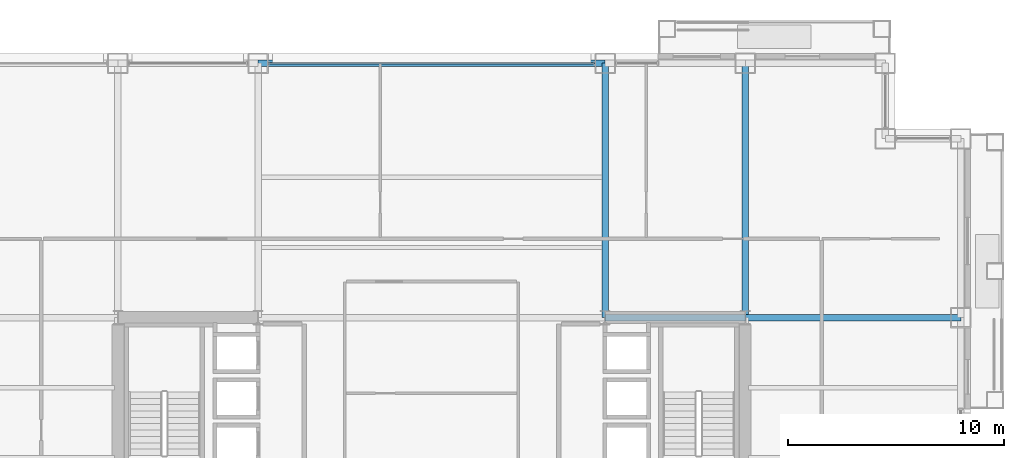
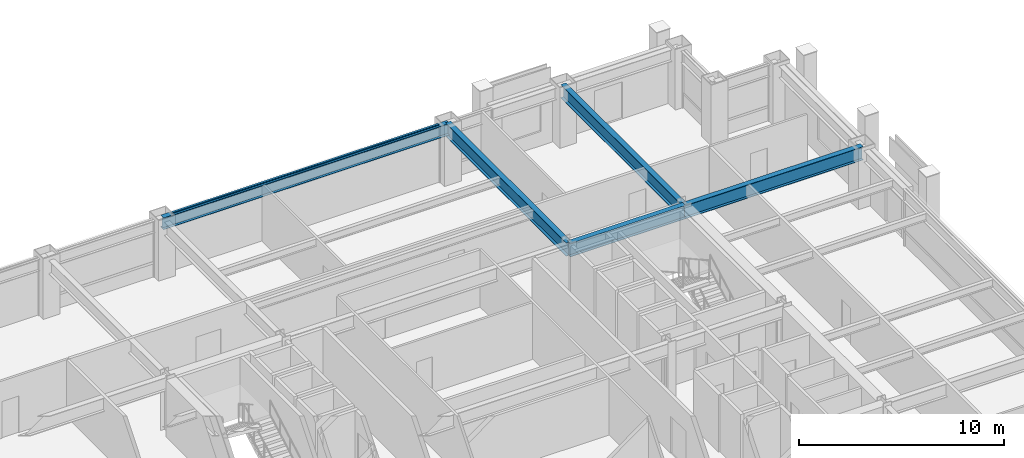
# One storey, part 20 of 31: 5 beams, 1 member, 1 element without a shape of its own.
"""IFC4 building model written with IfcOpenShell, lengths in metres."""

import ifcopenshell
import ifcopenshell.guid

model = None  # the IFC model being written
_history = None  # IfcOwnerHistory: only IFC2X3 demands one
_inside = {}  # id of a spatial element -> (the spatial element, [elements in it])
_under = {}  # id of a project, library or spatial element -> (it, [spatial elements below it])
_declared = {}  # id of a project -> (the project, [libraries it declares])
_typed = {}  # id of a type object -> (the type object, [elements of that type])
_made_of = {}  # id of a material, layer set ... -> (it, [elements and type objects made of it])


def new_model(schema):
    """Start an empty IFC model of exactly this schema.

    Asked for "IFC4X3", IfcOpenShell would pick the latest addendum, in which some entities
    have other attributes; the version numbers below select the first issue.
    IFC2X3 requires an IfcOwnerHistory on every rooted entity: one is made here for all.
    """
    global model, _history
    if schema == "IFC4X3":
        model = ifcopenshell.file(schema_version=(4, 3, 0, 0))
    else:
        model = ifcopenshell.file(schema=schema)
    _inside.clear()
    _under.clear()
    _declared.clear()
    _typed.clear()
    _made_of.clear()
    _history = None
    if model.schema == "IFC2X3":
        org = make("IfcOrganization", Name="unknown")
        user = make(
            "IfcPersonAndOrganization",
            ThePerson=make("IfcPerson", FamilyName="unknown"),
            TheOrganization=org,
        )
        app = make(
            "IfcApplication",
            ApplicationDeveloper=org,
            Version="unknown",
            ApplicationFullName="unknown",
            ApplicationIdentifier="unknown",
        )
        _history = make(
            "IfcOwnerHistory",
            OwningUser=user,
            OwningApplication=app,
            ChangeAction="ADDED",
            CreationDate=0,
        )
    return model


def make(cls, **values):
    """One entity of the class cls with the attributes given. An attribute that is None is left unset."""
    return model.create_entity(
        cls, **{name: value for name, value in values.items() if value is not None}
    )


def rooted(cls, **values):
    """An entity with a GlobalId (a new one), such as an element, a storey or a relation."""
    return make(cls, GlobalId=ifcopenshell.guid.new(), OwnerHistory=_history, **values)


def si_unit(unit_type, name, prefix=None):
    """IfcSIUnit, for example si_unit("LENGTHUNIT", "METRE", prefix="MILLI")."""
    return make("IfcSIUnit", UnitType=unit_type, Prefix=prefix, Name=name)


def assignment(units):
    """IfcUnitAssignment: the units of a project."""
    return None if units is None else make("IfcUnitAssignment", Units=units)


def point(xyz):
    """IfcCartesianPoint."""
    return None if xyz is None else make("IfcCartesianPoint", Coordinates=xyz)


def direction(xyz):
    """IfcDirection."""
    return None if xyz is None else make("IfcDirection", DirectionRatios=xyz)


def frame(location, z_axis=None, x_axis=None):
    """IfcAxis2Placement3D, a coordinate frame: its origin and axes. An axis left out is left unset."""
    return make(
        "IfcAxis2Placement3D",
        Location=point(location),
        Axis=direction(z_axis),
        RefDirection=direction(x_axis),
    )


def frame_2d(location, x_axis=None):
    """IfcAxis2Placement2D, a coordinate frame in the plane: its origin and x axis."""
    return make(
        "IfcAxis2Placement2D", Location=point(location), RefDirection=direction(x_axis)
    )


def origin():
    """The frame at (0, 0, 0) with its axes left unset."""
    return frame((0.0, 0.0, 0.0))


def origin_2d():
    """The frame at (0, 0) in the plane with its x axis left unset."""
    return frame_2d((0.0, 0.0))


def place(relative_to, where):
    """IfcLocalPlacement: puts the frame where relative to a parent placement (None: the world)."""
    return make(
        "IfcLocalPlacement", PlacementRelTo=relative_to, RelativePlacement=where
    )


def context(
    kind, dimensions, precision=None, world=None, true_north=None, identifier=None
):
    """IfcGeometricRepresentationContext, for example the 3D "Model" context."""
    return make(
        "IfcGeometricRepresentationContext",
        ContextIdentifier=identifier,
        ContextType=kind,
        CoordinateSpaceDimension=dimensions,
        Precision=precision,
        WorldCoordinateSystem=world,
        TrueNorth=true_north,
    )


def subcontext(parent, identifier, kind, view, scale=None):
    """IfcGeometricRepresentationSubContext, for example "Body" below "Model"."""
    return make(
        "IfcGeometricRepresentationSubContext",
        ContextIdentifier=identifier,
        ContextType=kind,
        ParentContext=parent,
        TargetScale=scale,
        TargetView=view,
    )


def project(units=None, contexts=None):
    """IfcProject with its units and contexts."""
    return rooted(
        "IfcProject",
        Name="project",
        RepresentationContexts=contexts,
        UnitsInContext=assignment(units),
    )


def spatial(cls, under=None, at=None, **own):
    """A site, building, storey or space (cls), placed at a placement, below another one or the project."""
    s = rooted(cls, ObjectPlacement=at, **own)
    if under is not None:
        _under.setdefault(under.id(), (under, []))[1].append(s)
    return s


def profile(cls, at=None, kind="AREA", **sizes):
    """A parametric profile (cls). Its sizes go by their IFC names, for example OverallWidth=200.0."""
    return make(cls, ProfileType=kind, Position=at, **sizes)


def hollow_rectangle(**sizes):
    """IfcRectangleHollowProfileDef."""
    return profile("IfcRectangleHollowProfileDef", **sizes)


def i_section(**sizes):
    """IfcIShapeProfileDef."""
    return profile("IfcIShapeProfileDef", **sizes)


def extrude(swept, where, along, depth):
    """IfcExtrudedAreaSolid: the profile swept, set in the frame where, extruded along a direction by depth."""
    return make(
        "IfcExtrudedAreaSolid",
        SweptArea=swept,
        Position=where,
        ExtrudedDirection=direction(along),
        Depth=depth,
    )


def shape(context_of_items, identifier, shape_type, items):
    """IfcShapeRepresentation: the items that make up one representation, for example the "Body"."""
    return make(
        "IfcShapeRepresentation",
        ContextOfItems=context_of_items,
        RepresentationIdentifier=identifier,
        RepresentationType=shape_type,
        Items=items,
    )


def material(Name=None, Category=None):
    """IfcMaterial."""
    return make("IfcMaterial", Name=Name, Category=Category)


def layer(
    of_material, thickness, ventilated=None, Name=None, Category=None, Priority=None
):
    """IfcMaterialLayer: one layer of a wall or slab, of a material (None: an air gap)."""
    return make(
        "IfcMaterialLayer",
        Material=of_material,
        LayerThickness=thickness,
        IsVentilated=ventilated,
        Name=Name,
        Category=Category,
        Priority=Priority,
    )


def layer_set(layers, Name=None):
    """IfcMaterialLayerSet."""
    return make("IfcMaterialLayerSet", MaterialLayers=layers, LayerSetName=Name)


def material_profile(
    of_material, cross_section, Name=None, Category=None, Priority=None
):
    """IfcMaterialProfile: a cross section and its material."""
    return make(
        "IfcMaterialProfile",
        Name=Name,
        Material=of_material,
        Profile=cross_section,
        Priority=Priority,
        Category=Category,
    )


def profile_set(profiles, Name=None, composite=None):
    """IfcMaterialProfileSet."""
    return make(
        "IfcMaterialProfileSet",
        Name=Name,
        MaterialProfiles=profiles,
        CompositeProfile=composite,
    )


def made_of(thing, what):
    """Note that an element or type object is made of a material, layer set ...; save() writes the relation."""
    if what is not None:
        _made_of.setdefault(what.id(), (what, []))[1].append(thing)
    return thing


def type_object(cls, material=None, **own):
    """A type object (cls), such as IfcWallType, which elements share."""
    return made_of(rooted(cls, **own), material)


def element(
    cls,
    number,
    at=None,
    inside=None,
    cuts=None,
    type_object=None,
    material=None,
    context=None,
    identifier="Body",
    shape_type=None,
    held_by="IfcProductDefinitionShape",
    body=None,
    shapes=None,
    **own,
):
    """One element of the class cls, such as IfcWall. Its Tag is "e" and its number.

    at: its placement. inside: the storey or other place that contains it. cuts: it is an
    opening in that element (IfcRelVoidsElement). A single representation is given by context,
    identifier, shape_type and body (its items); several are given by shapes. held_by: the class
    of the entity that holds the representations. save() writes the other relations.
    """
    e = rooted(cls, Tag="e%d" % number, ObjectPlacement=at, **own)
    if body is not None:
        shapes = [shape(context, identifier, shape_type, body)]
    if shapes is not None:
        e.Representation = make(held_by, Representations=shapes)
    if inside is not None:
        _inside.setdefault(inside.id(), (inside, []))[1].append(e)
    if cuts is not None:
        rooted(
            "IfcRelVoidsElement", RelatingBuildingElement=cuts, RelatedOpeningElement=e
        )
    if type_object is not None:
        _typed.setdefault(type_object.id(), (type_object, []))[1].append(e)
    return made_of(e, material)


def aggregate(whole, parts):
    """IfcRelAggregates: a whole, such as a stair, and the parts it consists of."""
    return rooted("IfcRelAggregates", RelatingObject=whole, RelatedObjects=parts)


def save(model, path):
    """Write the relations noted so far, then the file.

    IfcRelAggregates (storeys below a building ...), IfcRelContainedInSpatialStructure (elements
    in a storey), IfcRelDefinesByType, IfcRelAssociatesMaterial and IfcRelDeclares: one each for
    every whole, place, type object, material and project.
    """
    for whole, parts in _under.values():
        aggregate(whole, parts)
    for where, things in _inside.values():
        rooted(
            "IfcRelContainedInSpatialStructure",
            RelatedElements=things,
            RelatingStructure=where,
        )
    for kind, things in _typed.values():
        rooted("IfcRelDefinesByType", RelatedObjects=things, RelatingType=kind)
    for what, things in _made_of.values():
        rooted("IfcRelAssociatesMaterial", RelatedObjects=things, RelatingMaterial=what)
    for by, libraries in _declared.values():
        rooted("IfcRelDeclares", RelatingContext=by, RelatedDefinitions=libraries)
    model.write(path)


model = new_model("IFC4")

# Units and contexts
model_context = context("Model", 3, precision=1e-05, world=origin(), true_north=direction((0.0, 1.0)))
body_context = subcontext(model_context, "Body", "Model", "MODEL_VIEW")
ifc_project = project(units=[si_unit("LENGTHUNIT", "METRE"), si_unit("AREAUNIT", "SQUARE_METRE"), si_unit("VOLUMEUNIT", "CUBIC_METRE"), si_unit("PLANEANGLEUNIT", "RADIAN"), si_unit("MASSUNIT", "GRAM", prefix="KILO")], contexts=[model_context])

# Site, building, storey
site_placement = place(None, origin())
site = spatial("IfcSite", under=ifc_project, at=site_placement, CompositionType="ELEMENT")
building_placement = place(site_placement, origin())
building = spatial("IfcBuilding", under=site, at=building_placement, Name="Brelmoor Portico Tower", CompositionType="ELEMENT")
storey_placement = place(building_placement, frame((0.0, 0.0, 38.39990234375)))
storey = spatial("IfcBuildingStorey", under=building, at=storey_placement, Name="L09", CompositionType="ELEMENT", Elevation=38.39990234375)

# Beams
ifc_material_1 = material(Name="Steel Q355B", Category="steel")
ifc_material_profile_1 = material_profile(ifc_material_1, i_section(OverallWidth=0.300048828125, OverallDepth=0.800048828125, WebThickness=0.013916015625, FlangeThickness=0.02587890625, at=origin_2d()), Name="HN 800x300x14x26")
ifc_profile_set_1 = profile_set([ifc_material_profile_1], Name="Steel Q355B")
beam_type_1 = type_object("IfcBeamType", Name="BM-PG-800", PredefinedType="BEAM", material=ifc_profile_set_1)
for number, where, z_axis, x_axis, name in (
    (1, (8.050048828125, 9.75, 3.0), (0.0, 1.0, 0.0), (-1.0, 0.0, 0.0), "L09 Primary Floor Girder PG-10"),
    (2, (14.550048828125, 9.75, 3.0), (0.0, 1.0, 0.0), (-1.0, 0.0, 0.0), "L09 Primary Floor Girder PG-14"),
):
    element("IfcBeam", number, at=place(storey_placement, frame(where, z_axis=z_axis, x_axis=x_axis)), inside=storey, type_object=beam_type_1, Name=name, PredefinedType="BEAM", context=body_context, shape_type="SweptSolid", body=[
        extrude(i_section(OverallWidth=0.300048828125, OverallDepth=0.800048828125, WebThickness=0.013916015625, FlangeThickness=0.02587890625, at=origin_2d()), origin(), (0.0, 0.0, 1.0), 11.800048828125),
    ])
beam_1_placement = place(storey_placement, frame((8.050048828125, 9.75, 3.0), z_axis=(1.0, 0.0, 0.0), x_axis=(0.0, 1.0, 0.0)))
element("IfcBeam", 3, at=beam_1_placement, inside=storey, type_object=beam_type_1, Name="L09 Primary Floor Girder PG-30", PredefinedType="BEAM", context=body_context, shape_type="SweptSolid", body=[
    extrude(i_section(OverallWidth=0.300048828125, OverallDepth=0.800048828125, WebThickness=0.013916015625, FlangeThickness=0.02587890625, at=origin_2d()), origin(), (0.0, 0.0, 1.0), 6.5),
])
beam_2_placement = place(storey_placement, frame((14.550048828125, 9.75, 3.0), z_axis=(1.0, 0.0, 0.0), x_axis=(0.0, 1.0, 0.0)))
element("IfcBeam", 4, at=beam_2_placement, inside=storey, type_object=beam_type_1, Name="L09 Primary Floor Girder PG-31", PredefinedType="BEAM", context=body_context, shape_type="SweptSolid", body=[
    extrude(i_section(OverallWidth=0.300048828125, OverallDepth=0.800048828125, WebThickness=0.013916015625, FlangeThickness=0.02587890625, at=origin_2d()), origin(), (0.0, 0.0, 1.0), 10.0),
])
ifc_material_profile_2 = material_profile(ifc_material_1, i_section(OverallWidth=0.300048828125, OverallDepth=0.699951171875, WebThickness=0.012939453125, FlangeThickness=0.02392578125, at=origin_2d()), Name="HN 700x300x13x24")
ifc_profile_set_2 = profile_set([ifc_material_profile_2], Name="Steel Q355B")
beam_type_2 = type_object("IfcBeamType", Name="BM-SP-700", PredefinedType="SPANDREL", material=ifc_profile_set_2)
beam_3_placement = place(storey_placement, frame((-8.050048828125, 21.550048828125, 3.050048828125), z_axis=(1.0, 0.0, 0.0), x_axis=(0.0, 1.0, 0.0)))
element("IfcBeam", 5, at=beam_3_placement, inside=storey, type_object=beam_type_2, Name="L09 Perimeter Spandrel Beam SP-12", PredefinedType="SPANDREL", context=body_context, shape_type="SweptSolid", body=[
    extrude(i_section(OverallWidth=0.300048828125, OverallDepth=0.699951171875, WebThickness=0.012939453125, FlangeThickness=0.02392578125, at=origin_2d()), origin(), (0.0, 0.0, 1.0), 16.10009765625),
])

# Curtain wall, member
ifc_material_2 = material(Name="Anodised Aluminium Alloy 6063-T6", Category="aluminium")
ifc_layer = layer(ifc_material_2, 0.179931640625)
ifc_layer_set = layer_set([ifc_layer], Name="Anodised Aluminium Alloy 6063-T6")
curtain_wall_type = type_object("IfcCurtainWallType", Name="CW-TOWER-Z1-XB", PredefinedType="NOTDEFINED", material=ifc_layer_set)
curtain_wall_placement = place(storey_placement, origin())
curtain_wall = element("IfcCurtainWall", 6, at=curtain_wall_placement, inside=storey, type_object=curtain_wall_type, Name="L09 Curtain Wall CW-L09-2L-3", PredefinedType="NOTDEFINED")
ifc_material_profile_3 = material_profile(ifc_material_2, hollow_rectangle(XDim=0.06494140625, YDim=0.139892578125, WallThickness=0.00390625, at=origin_2d()), Name="ALU TRANSOM 65x140")
ifc_profile_set_3 = profile_set([ifc_material_profile_3], Name="Anodised Aluminium Alloy 6063-T6")
member_type = type_object("IfcMemberType", Name="MB-CW-TRAN-140", PredefinedType="USERDEFINED", material=ifc_profile_set_3)
member_placement = place(storey_placement, frame((-7.56494140625, 21.550048828125, 3.330078125), z_axis=(1.0, 0.0, 0.0), x_axis=(0.0, 1.0, 0.0)))
member = element("IfcMember", 7, at=member_placement, type_object=member_type, Name="CW-L09-2L-3 Transom 1-00", ObjectType="TRANSOM", PredefinedType="USERDEFINED", context=body_context, shape_type="SweptSolid", body=[
    extrude(hollow_rectangle(XDim=0.06494140625, YDim=0.139892578125, WallThickness=0.00390625, at=origin_2d()), origin(), (0.0, 0.0, 1.0), 15.1298828125),
])
aggregate(curtain_wall, [member])

save(model, "model.ifc")
